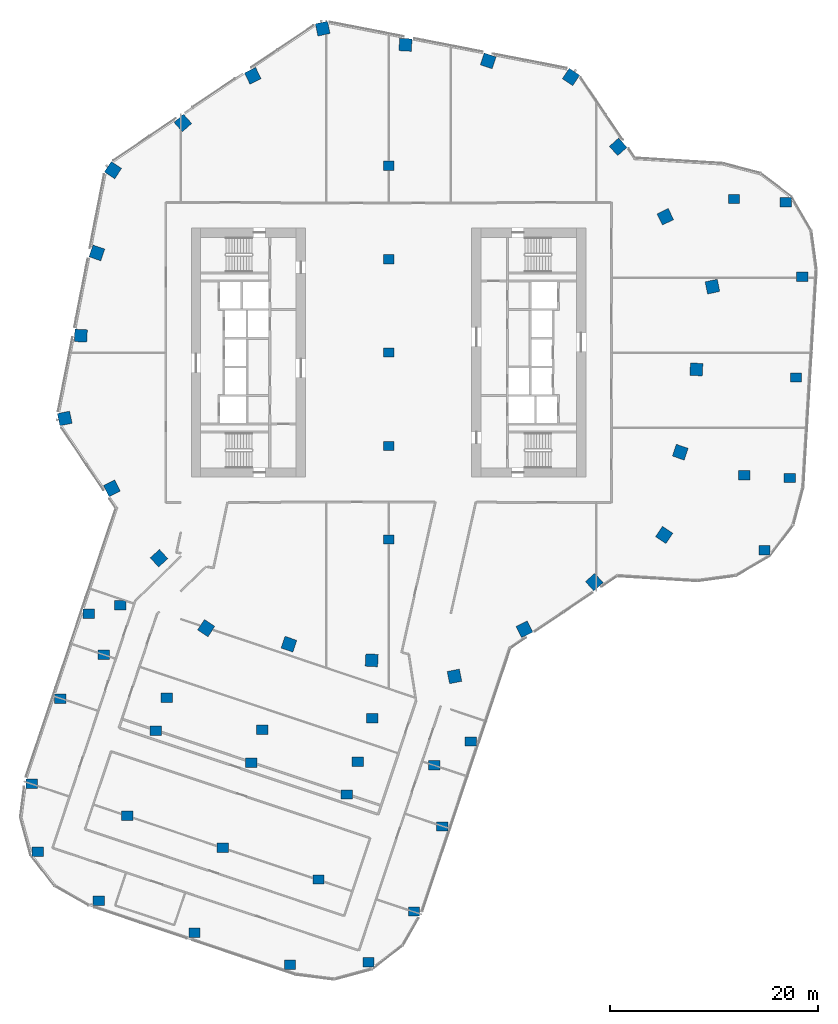
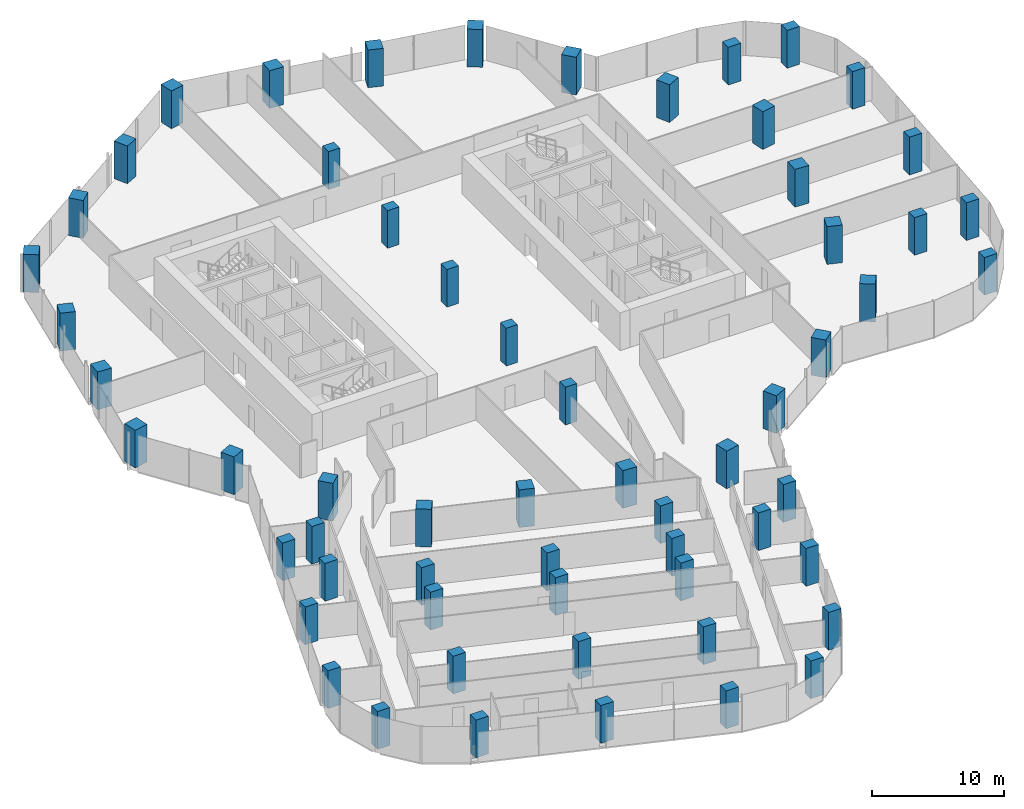
# One storey, part 1 of 25: 60 columns.
"""IFC4 building model written with IfcOpenShell, lengths in metres."""

from ifc_helpers import new_model, si_unit, direction, frame, origin, origin_2d, place, context, subcontext, project, spatial, rectangle, extrude, material, material_profile, profile_set, type_object, element, save


model = new_model("IFC4")

# Units and contexts
model_context = context("Model", 3, precision=1e-05, world=origin(), true_north=direction((0.0, 1.0)))
body_context = subcontext(model_context, "Body", "Model", "MODEL_VIEW")
ifc_project = project(units=[si_unit("LENGTHUNIT", "METRE"), si_unit("AREAUNIT", "SQUARE_METRE"), si_unit("VOLUMEUNIT", "CUBIC_METRE"), si_unit("PLANEANGLEUNIT", "RADIAN"), si_unit("MASSUNIT", "GRAM", prefix="KILO")], contexts=[model_context])

# Site, building, storey
site_placement = place(None, origin())
site = spatial("IfcSite", under=ifc_project, at=site_placement, CompositionType="ELEMENT")
building_placement = place(site_placement, origin())
building = spatial("IfcBuilding", under=site, at=building_placement, Name="Orlundy Tower", CompositionType="ELEMENT")
storey_placement = place(building_placement, frame((0.0, 0.0, 159.60009765625)))
storey = spatial("IfcBuildingStorey", under=building, at=storey_placement, Name="L41", CompositionType="ELEMENT", Elevation=159.60009765625)

# Columns
ifc_material_1 = material(Name="Concrete C70/85", Category="concrete")
ifc_material_profile_1 = material_profile(ifc_material_1, rectangle(XDim=1.0, YDim=0.89990234375, at=origin_2d()), Name="RC1000X900")
ifc_profile_set_1 = profile_set([ifc_material_profile_1], Name="Concrete C70/85")
column_type_1 = type_object("IfcColumnType", Name="RC COLUMN RC1000X900 C70/85", PredefinedType="COLUMN", material=ifc_profile_set_1)
for number, where, z_axis, x_axis, name in (
    (1, (0.0, -18.0, 0.0), (0.0, 0.0, 1.0), (1.0, 0.0, 0.0), "Column C-M1 L41"),
    (2, (0.0, -9.0, 0.0), (0.0, 0.0, 1.0), (1.0, 0.0, 0.0), "Column C-M2 L41"),
    (3, (0.0, 0.0, 0.0), (0.0, 0.0, 1.0), (1.0, 0.0, 0.0), "Column C-M3 L41"),
    (4, (0.0, 9.0, 0.0), (0.0, 0.0, 1.0), (1.0, 0.0, 0.0), "Column C-M4 L41"),
    (5, (0.0, 18.0, 0.0), (0.0, 0.0, 1.0), (1.0, 0.0, 0.0), "Column C-M5 L41"),
):
    element("IfcColumn", number, at=place(storey_placement, frame(where, z_axis=z_axis, x_axis=x_axis)), inside=storey, type_object=column_type_1, Name=name, PredefinedType="COLUMN", context=body_context, shape_type="SweptSolid", body=[
        extrude(rectangle(XDim=1.0, YDim=0.89990234375, at=origin_2d()), origin(), (0.0, 0.0, 1.0), 3.5),
    ])
ifc_material_2 = material(Name="Concrete C70/85", Category="concrete")
ifc_material_profile_2 = material_profile(ifc_material_2, rectangle(XDim=1.10009765625, YDim=0.89990234375, at=origin_2d()), Name="RC1100X900")
ifc_profile_set_2 = profile_set([ifc_material_profile_2], Name="Concrete C70/85")
column_type_2 = type_object("IfcColumnType", Name="RC COLUMN RC1100X900 C70/85", PredefinedType="COLUMN", material=ifc_profile_set_2)
for number, where, z_axis, x_axis, name in (
    (6, (36.197998046875, -19.0390625, 0.0), (0.0, 0.0, 1.0), (1.0, 0.0, 0.0), "Column C-A1-6 L41"),
    (7, (38.635009765625, -12.0810546875, 0.0), (0.0, 0.0, 1.0), (1.0, 0.0, 0.0), "Column C-A2-6 L41"),
    (8, (34.242919921875, -11.81298828125, 0.0), (0.0, 0.0, 1.0), (1.0, 0.0, 0.0), "Column C-A2-7 L41"),
    (9, (39.22705078125, -2.39892578125, 0.0), (0.0, 0.0, 1.0), (1.0, 0.0, 0.0), "Column C-A3-6 L41"),
    (10, (39.819091796875, 7.282958984375, 0.0), (0.0, 0.0, 1.0), (1.0, 0.0, 0.0), "Column C-A4-6 L41"),
    (11, (38.2490234375, 14.485107421875, 0.0), (0.0, 0.0, 1.0), (1.0, 0.0, 0.0), "Column C-A5-6 L41"),
    (12, (33.258056640625, 14.7900390625, 0.0), (0.0, 0.0, 1.0), (1.0, 0.0, 0.0), "Column C-A5-7 L41"),
    (13, (-28.868896484375, -25.138916015625, 0.0), (0.0, 0.0, 1.0), (1.0, 0.0, 0.0), "Column C-B1-1 L41"),
    (14, (-31.60791015625, -33.325927734375, 0.0), (0.0, 0.0, 1.0), (1.0, 0.0, 0.0), "Column C-B1-2 L41"),
    (15, (-34.343994140625, -41.514892578125, 0.0), (0.0, 0.0, 1.0), (1.0, 0.0, 0.0), "Column C-B1-3 L41"),
    (16, (-33.7880859375, -48.055908203125, 0.0), (0.0, 0.0, 1.0), (1.0, 0.0, 0.0), "Column C-B1-5 L41"),
    (17, (-27.44091796875, -29.089111328125, 0.0), (0.0, 0.0, 1.0), (1.0, 0.0, 0.0), "Column C-B1-6 L41"),
    (18, (-25.85498046875, -24.347900390625, 0.0), (0.0, 0.0, 1.0), (1.0, 0.0, 0.0), "Column C-B1-7 L41"),
    (19, (-22.408935546875, -36.404052734375, 0.0), (0.0, 0.0, 1.0), (1.0, 0.0, 0.0), "Column C-B2-2 L41"),
    (20, (-25.14892578125, -44.591064453125, 0.0), (0.0, 0.0, 1.0), (1.0, 0.0, 0.0), "Column C-B2-3 L41"),
    (21, (-27.887939453125, -52.778076171875, 0.0), (0.0, 0.0, 1.0), (1.0, 0.0, 0.0), "Column C-B2-5 L41"),
    (22, (-21.35205078125, -33.242919921875, 0.0), (0.0, 0.0, 1.0), (1.0, 0.0, 0.0), "Column C-B2-6 L41"),
    (23, (-13.2099609375, -39.48193359375, 0.0), (0.0, 0.0, 1.0), (1.0, 0.0, 0.0), "Column C-B3-2 L41"),
    (24, (-15.949951171875, -47.6689453125, 0.0), (0.0, 0.0, 1.0), (1.0, 0.0, 0.0), "Column C-B3-3 L41"),
    (25, (-18.68896484375, -55.85595703125, 0.0), (0.0, 0.0, 1.0), (1.0, 0.0, 0.0), "Column C-B3-5 L41"),
    (26, (-12.153076171875, -36.321044921875, 0.0), (0.0, 0.0, 1.0), (1.0, 0.0, 0.0), "Column C-B3-6 L41"),
    (27, (-4.011962890625, -42.56005859375, 0.0), (0.0, 0.0, 1.0), (1.0, 0.0, 0.0), "Column C-B4-2 L41"),
    (28, (-6.7509765625, -50.7470703125, 0.0), (0.0, 0.0, 1.0), (1.0, 0.0, 0.0), "Column C-B4-3 L41"),
    (29, (-9.490966796875, -58.93408203125, 0.0), (0.0, 0.0, 1.0), (1.0, 0.0, 0.0), "Column C-B4-5 L41"),
    (30, (-2.9541015625, -39.39892578125, 0.0), (0.0, 0.0, 1.0), (1.0, 0.0, 0.0), "Column C-B4-6 L41"),
    (31, (-1.55810546875, -35.22607421875, 0.0), (0.0, 0.0, 1.0), (1.0, 0.0, 0.0), "Column C-B4-7 L41"),
    (32, (7.926025390625, -37.449951171875, 0.0), (0.0, 0.0, 1.0), (1.0, 0.0, 0.0), "Column C-B5-1 L41"),
    (33, (5.18701171875, -45.637939453125, 0.0), (0.0, 0.0, 1.0), (1.0, 0.0, 0.0), "Column C-B5-2 L41"),
    (34, (2.444091796875, -53.822998046875, 0.0), (0.0, 0.0, 1.0), (1.0, 0.0, 0.0), "Column C-B5-3 L41"),
    (35, (-1.93701171875, -58.712890625, 0.0), (0.0, 0.0, 1.0), (1.0, 0.0, 0.0), "Column C-B5-5 L41"),
    (36, (4.408935546875, -39.74609375, 0.0), (0.0, 0.0, 1.0), (1.0, 0.0, 0.0), "Column C-B5-6 L41"),
):
    element("IfcColumn", number, at=place(storey_placement, frame(where, z_axis=z_axis, x_axis=x_axis)), inside=storey, type_object=column_type_2, Name=name, PredefinedType="COLUMN", context=body_context, shape_type="SweptSolid", body=[
        extrude(rectangle(XDim=1.10009765625, YDim=0.89990234375, at=origin_2d()), origin(), (0.0, 0.0, 1.0), 3.5),
    ])
ifc_material_3 = material(Name="Concrete C70/85", Category="concrete")
ifc_material_profile_3 = material_profile(ifc_material_3, rectangle(XDim=1.199951171875, YDim=1.199951171875, at=origin_2d()), Name="RC1200X1200")
ifc_profile_set_3 = profile_set([ifc_material_profile_3], Name="Concrete C70/85")
column_type_3 = type_object("IfcColumnType", Name="RC COLUMN RC1200X1200 C70/85", PredefinedType="COLUMN", material=ifc_profile_set_3)
for number, where, z_axis, x_axis, name in (
    (37, (17.56396484375, 26.535888671875, 0.0), (0.0, 0.0, 1.0), (0.551936985312, 0.833885822067, 0.0), "Column C-H01 L41"),
    (38, (22.10400390625, 19.805908203125, 0.0), (0.0, 0.0, 1.0), (0.744754305823, 0.667338762517, 0.0), "Column C-H02 L41"),
    (39, (26.64404296875, 13.074951171875, 0.0), (0.0, 0.0, 1.0), (0.897727910651, 0.440550335873, 0.0), "Column C-H03 L41"),
    (40, (31.18310546875, 6.343994140625, 0.0), (0.0, 0.0, 1.0), (0.979924704621, 0.199367934417, 0.0), "Column C-H04 L41"),
    (41, (29.634033203125, -1.625, 0.0), (0.0, 0.0, 1.0), (0.998499628726, -0.054758482756, 0.0), "Column C-H05 L41"),
    (42, (28.0849609375, -9.593994140625, 0.0), (0.0, 0.0, 1.0), (0.946311265272, -0.323256847134, 0.0), "Column C-H06 L41"),
    (43, (26.535888671875, -17.56396484375, 0.0), (0.0, 0.0, 1.0), (0.833885822067, -0.551936985312, 0.0), "Column C-H07 L41"),
    (44, (19.805908203125, -22.10400390625, 0.0), (0.0, 0.0, 1.0), (0.667338762517, -0.744754305823, 0.0), "Column C-H08 L41"),
    (45, (13.074951171875, -26.64404296875, 0.0), (0.0, 0.0, 1.0), (0.440550335873, -0.897727910651, 0.0), "Column C-H09 L41"),
    (46, (6.343994140625, -31.18310546875, 0.0), (0.0, 0.0, 1.0), (0.199367934417, -0.979924704621, 0.0), "Column C-H10 L41"),
    (47, (-1.625, -29.634033203125, 0.0), (0.0, 0.0, 1.0), (-0.054758482756, -0.998499628726, 0.0), "Column C-H11 L41"),
    (48, (-9.593994140625, -28.0849609375, 0.0), (0.0, 0.0, 1.0), (-0.323256847134, -0.946311265272, 0.0), "Column C-H12 L41"),
    (49, (-17.56396484375, -26.535888671875, 0.0), (0.0, 0.0, 1.0), (-0.551936985312, -0.833885822067, 0.0), "Column C-H13 L41"),
    (50, (-22.10400390625, -19.805908203125, 0.0), (0.0, 0.0, 1.0), (-0.744754305823, -0.667338762517, 0.0), "Column C-H14 L41"),
    (51, (-26.64404296875, -13.074951171875, 0.0), (0.0, 0.0, 1.0), (-0.897727910651, -0.440550335873, 0.0), "Column C-H15 L41"),
    (52, (-31.18310546875, -6.343994140625, 0.0), (0.0, 0.0, 1.0), (-0.979924704621, -0.199367934417, 0.0), "Column C-H16 L41"),
    (53, (-29.634033203125, 1.625, 0.0), (0.0, 0.0, 1.0), (-0.998499628726, 0.054758482756, 0.0), "Column C-H17 L41"),
    (54, (-28.0849609375, 9.593994140625, 0.0), (0.0, 0.0, 1.0), (-0.946311265272, 0.323256847134, 0.0), "Column C-H18 L41"),
    (55, (-26.535888671875, 17.56396484375, 0.0), (0.0, 0.0, 1.0), (-0.833885822067, 0.551936985312, 0.0), "Column C-H19 L41"),
    (56, (-19.805908203125, 22.10400390625, 0.0), (0.0, 0.0, 1.0), (-0.667338762517, 0.744754305823, 0.0), "Column C-H20 L41"),
    (57, (-13.074951171875, 26.64404296875, 0.0), (0.0, 0.0, 1.0), (-0.440550335873, 0.897727910651, 0.0), "Column C-H21 L41"),
    (58, (-6.343994140625, 31.18310546875, 0.0), (0.0, 0.0, 1.0), (-0.199367934417, 0.979924704621, 0.0), "Column C-H22 L41"),
    (59, (1.625, 29.634033203125, 0.0), (0.0, 0.0, 1.0), (0.054758482756, 0.998499628726, 0.0), "Column C-H23 L41"),
    (60, (9.593994140625, 28.0849609375, 0.0), (0.0, 0.0, 1.0), (0.323256847134, 0.946311265272, 0.0), "Column C-H24 L41"),
):
    element("IfcColumn", number, at=place(storey_placement, frame(where, z_axis=z_axis, x_axis=x_axis)), inside=storey, type_object=column_type_3, Name=name, PredefinedType="COLUMN", context=body_context, shape_type="SweptSolid", body=[
        extrude(rectangle(XDim=1.199951171875, YDim=1.199951171875, at=origin_2d()), origin(), (0.0, 0.0, 1.0), 3.5),
    ])

save(model, "model.ifc")
